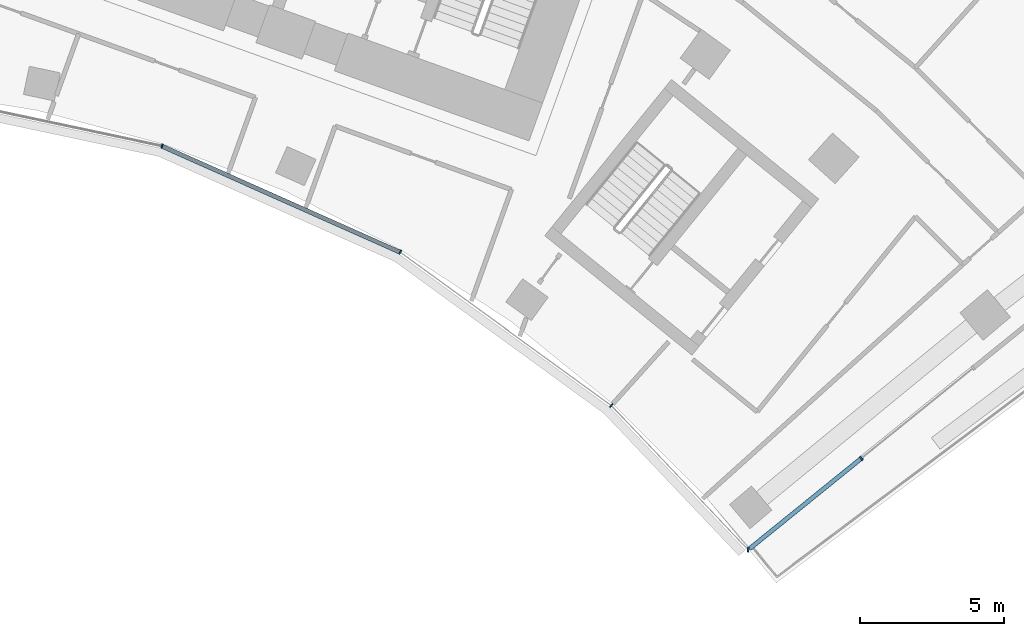
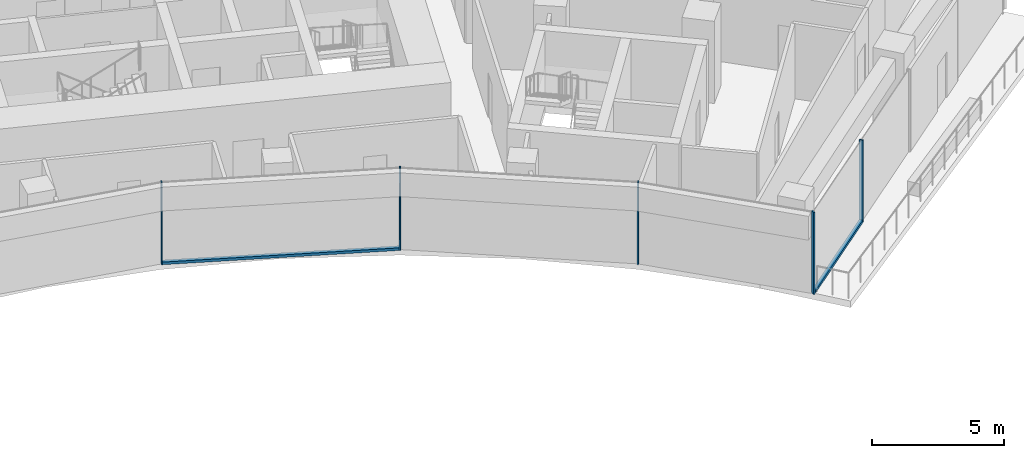
# One storey, part 8 of 21: 7 members, 2 elements without a shape of their own.
"""IFC4 building model written with IfcOpenShell, lengths in metres."""

from ifc_helpers import new_model, si_unit, direction, frame, origin, origin_2d, place, context, subcontext, project, spatial, rectangle, extrude, material, layer, layer_set, material_profile, profile_set, type_object, element, aggregate, save


model = new_model("IFC4")

# Units and contexts
model_context = context("Model", 3, precision=1e-05, world=origin(), true_north=direction((0.0, 1.0)))
body_context = subcontext(model_context, "Body", "Model", "MODEL_VIEW")
ifc_project = project(units=[si_unit("LENGTHUNIT", "METRE"), si_unit("AREAUNIT", "SQUARE_METRE"), si_unit("VOLUMEUNIT", "CUBIC_METRE"), si_unit("PLANEANGLEUNIT", "RADIAN"), si_unit("MASSUNIT", "GRAM", prefix="KILO")], contexts=[model_context])

# Site, building, storey
site_placement = place(None, origin())
site = spatial("IfcSite", under=ifc_project, at=site_placement, CompositionType="ELEMENT")
building_placement = place(site_placement, origin())
building = spatial("IfcBuilding", under=site, at=building_placement, Name="Stone Belt Terrace Tower", CompositionType="ELEMENT")
storey_placement = place(building_placement, frame((0.0, 0.0, 159.199951171875)))
storey = spatial("IfcBuildingStorey", under=building, at=storey_placement, Name="L38", CompositionType="ELEMENT", Elevation=159.199951171875)

# Curtain wall, members
ifc_material = material(Name="Aluminium 6063-T6 anodised frame", Category="aluminium")
ifc_layer_1 = layer(ifc_material, 0.14990234375)
ifc_layer_set_1 = layer_set([ifc_layer_1], Name="CW-B unitised concave-face curtain wall")
curtain_wall_type_1 = type_object("IfcCurtainWallType", Name="CW-B unitised concave-face curtain wall", PredefinedType="NOTDEFINED", material=ifc_layer_set_1)
curtain_wall_1_placement = place(storey_placement, origin())
curtain_wall_1 = element("IfcCurtainWall", 1, at=curtain_wall_1_placement, inside=storey, type_object=curtain_wall_type_1, Name="CW-B concave face L38", PredefinedType="NOTDEFINED")
ifc_material_profile_1 = material_profile(ifc_material, rectangle(XDim=0.14990234375, YDim=0.050048828125, at=origin_2d()), Name="Aluminium 6063-T6 50x150")
ifc_profile_set_1 = profile_set([ifc_material_profile_1], Name="Aluminium 6063-T6 anodised frame")
member_type_1 = type_object("IfcMemberType", Name="CW-B mullion 50 x 150", PredefinedType="MULLION", material=ifc_profile_set_1)
member_1_placement = place(storey_placement, frame((13.4189453125, 41.29931640625, 0.0), z_axis=(0.0, 0.0, 1.0), x_axis=(0.309016994375, 0.951056516295, 0.0)))
member_1 = element("IfcMember", 2, at=member_1_placement, type_object=member_type_1, Name="CW-B mullion 7", PredefinedType="MULLION", context=body_context, shape_type="SweptSolid", body=[
    extrude(rectangle(XDim=0.14990234375, YDim=0.050048828125, at=origin_2d()), origin(), (0.0, 0.0, 1.0), 3.800048828125),
])
member_2_placement = place(storey_placement, frame((21.71240234375, 37.606689453125, 0.0), z_axis=(0.0, 0.0, 1.0), x_axis=(0.5, 0.866025403784, 0.0)))
member_2 = element("IfcMember", 3, at=member_2_placement, type_object=member_type_1, Name="CW-B mullion 8", PredefinedType="MULLION", context=body_context, shape_type="SweptSolid", body=[
    extrude(rectangle(XDim=0.14990234375, YDim=0.050048828125, at=origin_2d()), origin(), (0.0, 0.0, 1.0), 3.800048828125),
])
member_3_placement = place(storey_placement, frame((29.0576171875, 32.270263671875, 0.0), z_axis=(0.0, 0.0, 1.0), x_axis=(0.65949451093, 0.751709378719, 0.0)))
member_3 = element("IfcMember", 4, at=member_3_placement, type_object=member_type_1, Name="CW-B mullion 9", PredefinedType="MULLION", context=body_context, shape_type="SweptSolid", body=[
    extrude(rectangle(XDim=0.14990234375, YDim=0.050048828125, at=origin_2d()), origin(), (0.0, 0.0, 1.0), 3.800048828125),
])
ifc_material_profile_2 = material_profile(ifc_material, rectangle(XDim=0.14990234375, YDim=0.1201171875, at=origin_2d()), Name="Aluminium 6063-T6 150x120")
ifc_profile_set_2 = profile_set([ifc_material_profile_2], Name="Aluminium 6063-T6 anodised frame")
member_type_2 = type_object("IfcMemberType", Name="CW-B transom 120 x 150", PredefinedType="USERDEFINED", material=ifc_profile_set_2)
member_4_placement = place(storey_placement, frame((13.44873046875, 41.285888671875, 0.06005859375), z_axis=(0.913548853737, -0.406729015237, 0.0), x_axis=(0.406729015237, 0.913548853737, 0.0)))
member_4 = element("IfcMember", 5, at=member_4_placement, type_object=member_type_2, Name="CW-B transom 7.1", ObjectType="TRANSOM", PredefinedType="USERDEFINED", context=body_context, shape_type="SweptSolid", body=[
    extrude(rectangle(XDim=0.14990234375, YDim=0.1201171875, at=origin_2d()), origin(), (0.0, 0.0, 1.0), 9.0126953125),
])
aggregate(curtain_wall_1, [member_1, member_2, member_3, member_4])

ifc_layer_2 = layer(ifc_material, 0.14990234375)
ifc_layer_set_2 = layer_set([ifc_layer_2], Name="CW-C stick curtain wall, horn ends and notches")
curtain_wall_type_2 = type_object("IfcCurtainWallType", Name="CW-C stick curtain wall, horn ends and notches", PredefinedType="NOTDEFINED", material=ifc_layer_set_2)
curtain_wall_2_placement = place(storey_placement, origin())
curtain_wall_2 = element("IfcCurtainWall", 6, at=curtain_wall_2_placement, inside=storey, type_object=curtain_wall_type_2, Name="CW-C end face L38", PredefinedType="NOTDEFINED")
ifc_material_profile_3 = material_profile(ifc_material, rectangle(XDim=0.14990234375, YDim=0.06005859375, at=origin_2d()), Name="Aluminium 6063-T6 60x150")
ifc_profile_set_3 = profile_set([ifc_material_profile_3], Name="Aluminium 6063-T6 anodised frame")
member_type_3 = type_object("IfcMemberType", Name="CW-C mullion 60 x 150", PredefinedType="MULLION", material=ifc_profile_set_3)
member_5_placement = place(storey_placement, frame((33.82080078125, 27.246826171875, 0.0), z_axis=(0.0, 0.0, 1.0), x_axis=(0.065995226501, 0.997819938706, 0.0)))
member_5 = element("IfcMember", 7, at=member_5_placement, type_object=member_type_3, Name="CW-C mullion 1", PredefinedType="MULLION", context=body_context, shape_type="SweptSolid", body=[
    extrude(rectangle(XDim=0.14990234375, YDim=0.06005859375, at=origin_2d()), origin(), (0.0, 0.0, 1.0), 3.800048828125),
])
member_6_placement = place(storey_placement, frame((37.762939453125, 30.433837890625, 0.0), z_axis=(0.0, 0.0, 1.0), x_axis=(-0.628705337721, 0.777643619096, 0.0)))
member_6 = element("IfcMember", 8, at=member_6_placement, type_object=member_type_3, Name="CW-C mullion 2", PredefinedType="MULLION", context=body_context, shape_type="SweptSolid", body=[
    extrude(rectangle(XDim=0.14990234375, YDim=0.06005859375, at=origin_2d()), origin(), (0.0, 0.0, 1.0), 3.800048828125),
])
ifc_material_profile_4 = material_profile(ifc_material, rectangle(XDim=0.14990234375, YDim=0.1201171875, at=origin_2d()), Name="Aluminium 6063-T6 150x120")
ifc_profile_set_4 = profile_set([ifc_material_profile_4], Name="Aluminium 6063-T6 anodised frame")
member_type_4 = type_object("IfcMemberType", Name="CW-C transom 120 x 150", PredefinedType="USERDEFINED", material=ifc_profile_set_4)
member_7_placement = place(storey_placement, frame((33.87744140625, 27.292724609375, 0.06005859375), z_axis=(0.777649970155, 0.628697482035, 0.0), x_axis=(-0.628697482035, 0.777649970155, 0.0)))
member_7 = element("IfcMember", 9, at=member_7_placement, type_object=member_type_4, Name="CW-C transom 1.1", ObjectType="TRANSOM", PredefinedType="USERDEFINED", context=body_context, shape_type="SweptSolid", body=[
    extrude(rectangle(XDim=0.14990234375, YDim=0.1201171875, at=origin_2d()), origin(), (0.0, 0.0, 1.0), 4.96630859375),
])
aggregate(curtain_wall_2, [member_5, member_6, member_7])

save(model, "model.ifc")
